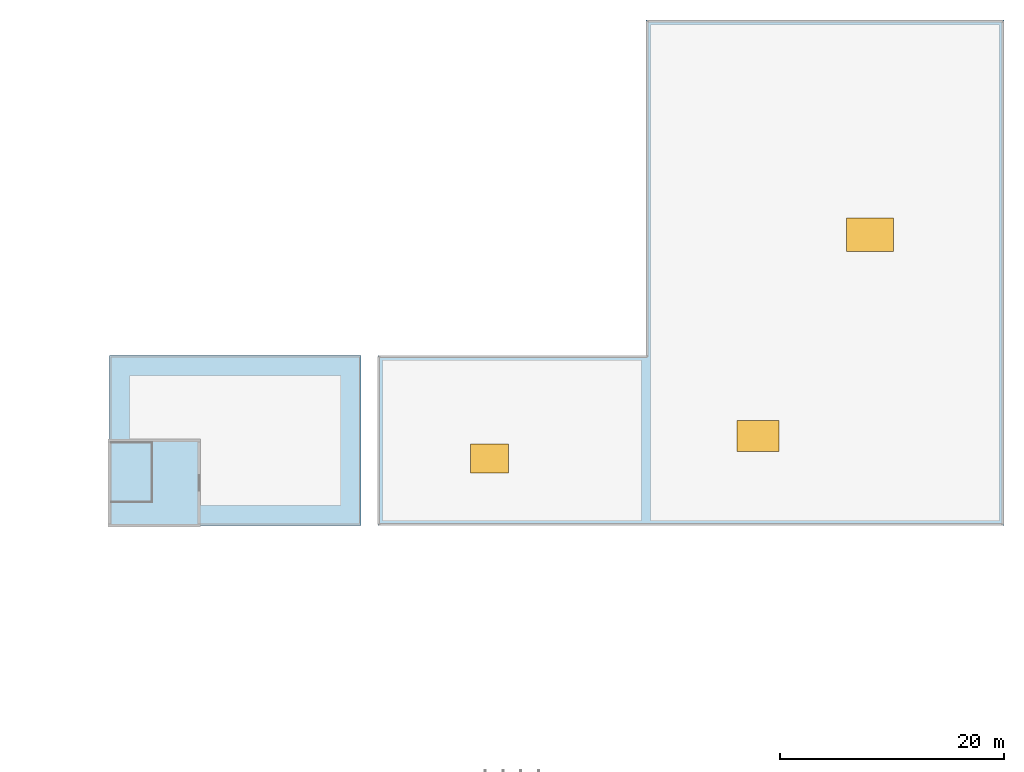
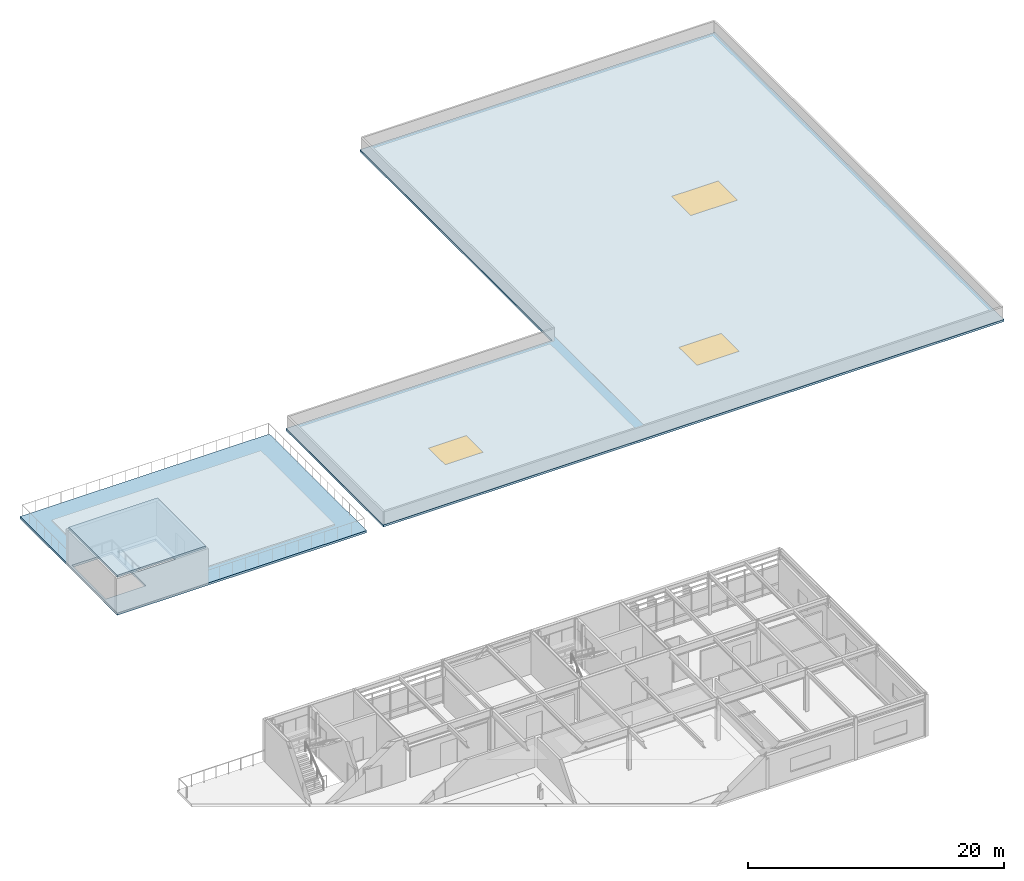
# One storey, part 14 of 21: 3 slabs, 3 windows, 3 openings, 1 element without a shape of its own.
"""IFC4 building model written with IfcOpenShell, lengths in metres."""

from ifc_helpers import new_model, si_unit, direction, frame, origin, origin_2d, place, context, subcontext, project, spatial, polyline, rectangle, outline, extrude, material, layer, layer_set, type_object, element, fill, aggregate, save


model = new_model("IFC4")

# Units and contexts
model_context = context("Model", 3, precision=1e-05, world=origin(), true_north=direction((0.0, 1.0)))
body_context = subcontext(model_context, "Body", "Model", "MODEL_VIEW")
ifc_project = project(units=[si_unit("LENGTHUNIT", "METRE"), si_unit("AREAUNIT", "SQUARE_METRE"), si_unit("VOLUMEUNIT", "CUBIC_METRE"), si_unit("PLANEANGLEUNIT", "RADIAN"), si_unit("MASSUNIT", "GRAM", prefix="KILO")], contexts=[model_context])

# Site, building, storey
site_placement = place(None, origin())
site = spatial("IfcSite", under=ifc_project, at=site_placement, CompositionType="ELEMENT")
building_placement = place(site_placement, origin())
building = spatial("IfcBuilding", under=site, at=building_placement, Name="Zulena Civic Courthouse", CompositionType="ELEMENT")
storey_placement = place(building_placement, frame((0.0, 0.0, 37.800048828125)))
storey = spatial("IfcBuildingStorey", under=building, at=storey_placement, Name="L08", CompositionType="ELEMENT", Elevation=37.800048828125)

# Roof, slab, openings, windows
ifc_material_1 = material(Name="Insulated standing-seam zinc-aluminium roofing", Category="aluminium")
ifc_layer_1 = layer(ifc_material_1, 0.205078125)
ifc_layer_set_1 = layer_set([ifc_layer_1], Name="Insulated standing-seam zinc-aluminium roofing")
roof_type = type_object("IfcRoofType", Name="FlatRoofAssembly", PredefinedType="FLAT_ROOF", material=ifc_layer_set_1)
roof_placement = place(storey_placement, origin())
roof = element("IfcRoof", 1, at=roof_placement, inside=storey, type_object=roof_type, Name="roof:V5:L08", PredefinedType="FLAT_ROOF")
ifc_material_2 = material(Name="Concrete C35/45", Category="concrete")
ifc_layer_2 = layer(ifc_material_2, 0.205078125)
ifc_layer_set_2 = layer_set([ifc_layer_2], Name="Concrete C35/45")
slab_type_1 = type_object("IfcSlabType", Name="FlatRoofSlab_205", PredefinedType="ROOF", material=ifc_layer_set_2)
slab_1_placement = place(storey_placement, frame((0.0, 0.0, -0.205078125)))
slab_1 = element("IfcSlab", 2, at=slab_1_placement, type_object=slab_type_1, Name="slab:roof:V5:L08", PredefinedType="ROOF", context=body_context, shape_type="SweptSolid", body=[
    extrude(outline(polyline([(44.0, 46.0), (100.0, 46.0), (100.0, 91.199951171875), (68.0, 91.199951171875), (68.0, 61.199951171875), (44.0, 61.199951171875), (44.0, 46.0)])), origin(), (0.0, 0.0, 1.0), 0.205078125),
])
opening_1_placement = place(slab_1_placement, frame((54.0, 52.0, 0.0)))
opening_1 = element("IfcOpeningElement", 3, at=opening_1_placement, cuts=slab_1, Name="Opening SK04", PredefinedType="OPENING", context=body_context, shape_type="SweptSolid", body=[
    extrude(rectangle(XDim=3.39990234375, YDim=2.60009765625, at=origin_2d()), origin(), (0.0, 0.0, 1.0), 0.205078125),
])
opening_2_placement = place(slab_1_placement, frame((78.0, 54.0, 0.0)))
opening_2 = element("IfcOpeningElement", 4, at=opening_2_placement, cuts=slab_1, Name="Opening SK05", PredefinedType="OPENING", context=body_context, shape_type="SweptSolid", body=[
    extrude(rectangle(XDim=3.800048828125, YDim=2.800048828125, at=origin_2d()), origin(), (0.0, 0.0, 1.0), 0.205078125),
])
opening_3_placement = place(slab_1_placement, frame((88.0, 72.0, 0.0)))
opening_3 = element("IfcOpeningElement", 5, at=opening_3_placement, cuts=slab_1, Name="Opening SK06", PredefinedType="OPENING", context=body_context, shape_type="SweptSolid", body=[
    extrude(rectangle(XDim=4.199951171875, YDim=3.0, at=origin_2d()), origin(), (0.0, 0.0, 1.0), 0.205078125),
])
ifc_material_3 = material(Name="Double-silver low-E laminated solar-control glass", Category="glass")
window_type_1 = type_object("IfcWindowType", Name="Skylight_3400x2600", PartitioningType="SINGLE_PANEL", PredefinedType="SKYLIGHT", material=ifc_material_3)
window_1_placement = place(opening_1_placement, frame((0.0, 0.0, 0.155029296875)))
window_1 = element("IfcWindow", 6, at=window_1_placement, inside=storey, type_object=window_type_1, Name="sky:04", OverallHeight=2.60009765625, OverallWidth=3.39990234375, PartitioningType="SINGLE_PANEL", PredefinedType="SKYLIGHT", context=body_context, shape_type="SweptSolid", body=[
    extrude(rectangle(XDim=3.39990234375, YDim=2.60009765625, at=origin_2d()), origin(), (0.0, 0.0, 1.0), 0.050048828125),
])
fill(opening_1, window_1)
window_type_2 = type_object("IfcWindowType", Name="Skylight_3800x2800", PartitioningType="SINGLE_PANEL", PredefinedType="SKYLIGHT", material=ifc_material_3)
window_2_placement = place(opening_2_placement, frame((0.0, 0.0, 0.155029296875)))
window_2 = element("IfcWindow", 7, at=window_2_placement, inside=storey, type_object=window_type_2, Name="sky:05", OverallHeight=2.800048828125, OverallWidth=3.800048828125, PartitioningType="SINGLE_PANEL", PredefinedType="SKYLIGHT", context=body_context, shape_type="SweptSolid", body=[
    extrude(rectangle(XDim=3.800048828125, YDim=2.800048828125, at=origin_2d()), origin(), (0.0, 0.0, 1.0), 0.050048828125),
])
fill(opening_2, window_2)
window_type_3 = type_object("IfcWindowType", Name="Skylight_4200x3000", PartitioningType="SINGLE_PANEL", PredefinedType="SKYLIGHT", material=ifc_material_3)
window_3_placement = place(opening_3_placement, frame((0.0, 0.0, 0.155029296875)))
window_3 = element("IfcWindow", 8, at=window_3_placement, inside=storey, type_object=window_type_3, Name="sky:06", OverallHeight=3.0, OverallWidth=4.199951171875, PartitioningType="SINGLE_PANEL", PredefinedType="SKYLIGHT", context=body_context, shape_type="SweptSolid", body=[
    extrude(rectangle(XDim=4.199951171875, YDim=3.0, at=origin_2d()), origin(), (0.0, 0.0, 1.0), 0.050048828125),
])
fill(opening_3, window_3)
aggregate(roof, [slab_1])

# Slabs
slab_2_placement = place(storey_placement, frame((0.0, 0.0, 3.39990234375)))
element("IfcSlab", 9, at=slab_2_placement, inside=storey, type_object=slab_type_1, Name="slab:headhouse:TR-V5-L08", PredefinedType="ROOF", context=body_context, shape_type="SweptSolid", body=[
    extrude(outline(polyline([(20.0, 46.0), (28.0, 46.0), (28.0, 53.60009765625), (20.0, 53.60009765625), (20.0, 46.0)])), origin(), (0.0, 0.0, 1.0), 0.205078125),
])
ifc_layer_3 = layer(ifc_material_2, 0.2099609375)
ifc_layer_set_3 = layer_set([ifc_layer_3], Name="Concrete C35/45")
slab_type_2 = type_object("IfcSlabType", Name="TerraceSlab_210", PredefinedType="FLOOR", material=ifc_layer_set_3)
slab_3_placement = place(storey_placement, frame((0.0, 0.0, -0.2099609375)))
element("IfcSlab", 10, at=slab_3_placement, inside=storey, type_object=slab_type_2, Name="slab:terrace:TR-V5-L08", PredefinedType="FLOOR", context=body_context, shape_type="SweptSolid", body=[
    extrude(outline(polyline([(42.5, 61.199951171875), (42.5, 46.0), (20.0, 46.0), (20.0, 61.199951171875), (42.5, 61.199951171875)]), holes=[polyline([(23.81005859375, 53.409912109375), (20.18994140625, 53.409912109375), (20.18994140625, 48.1201171875), (23.81005859375, 48.1201171875), (23.81005859375, 53.409912109375)]), polyline([(27.64990234375, 50.10009765625), (27.64990234375, 53.25), (24.199951171875, 53.25), (24.199951171875, 50.10009765625), (27.64990234375, 50.10009765625)])]), origin(), (0.0, 0.0, 1.0), 0.2099609375),
])

save(model, "model.ifc")
